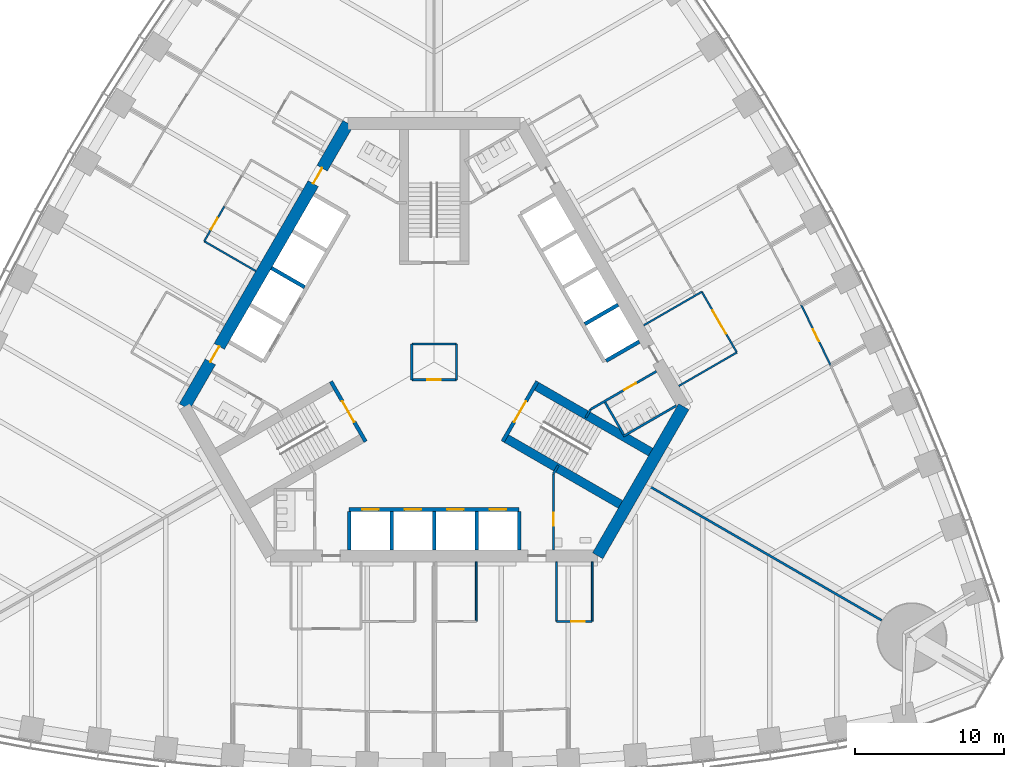
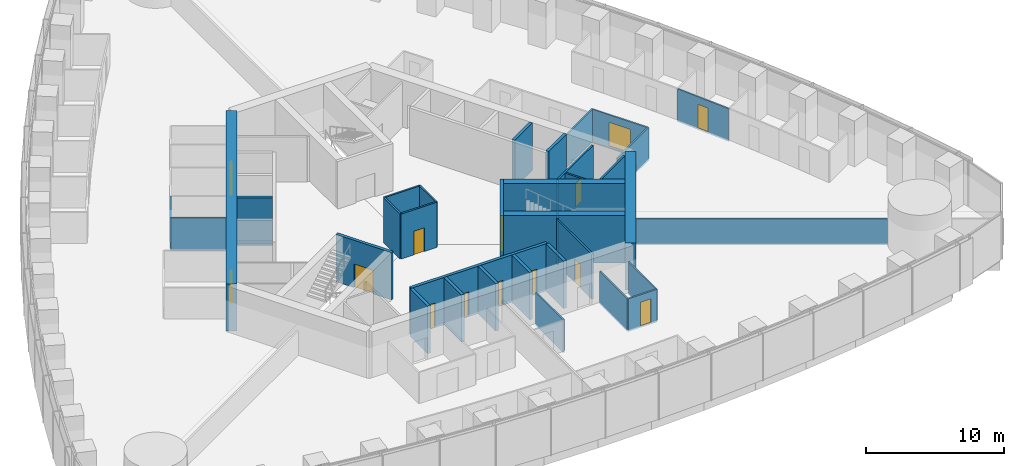
# One storey, part 11 of 18: 36 walls, 15 doors, 15 openings.
"""IFC4 building model written with IfcOpenShell, lengths in metres."""

from ifc_helpers import new_model, si_unit, direction, frame, frame_2d, origin, place, context, subcontext, project, spatial, rectangle, extrude, material, layer, layer_set, type_object, element, fill, save


model = new_model("IFC4")

# Units and contexts
model_context = context("Model", 3, precision=1e-05, world=origin(), true_north=direction((0.0, 1.0)))
body_context = subcontext(model_context, "Body", "Model", "MODEL_VIEW")
ifc_project = project(units=[si_unit("LENGTHUNIT", "METRE"), si_unit("AREAUNIT", "SQUARE_METRE"), si_unit("VOLUMEUNIT", "CUBIC_METRE"), si_unit("PLANEANGLEUNIT", "RADIAN"), si_unit("MASSUNIT", "GRAM", prefix="KILO")], contexts=[model_context])

# Site, building, storey
site_placement = place(None, origin())
site = spatial("IfcSite", under=ifc_project, at=site_placement, CompositionType="ELEMENT")
building_placement = place(site_placement, origin())
building = spatial("IfcBuilding", under=site, at=building_placement, Name="Trefoil Bronze Tower", CompositionType="ELEMENT")
storey_placement = place(building_placement, frame((0.0, 0.0, 29.10009765625)))
storey = spatial("IfcBuildingStorey", under=building, at=storey_placement, Name="L06", CompositionType="ELEMENT", Elevation=29.10009765625)

# Wall
ifc_material_1 = material(Name="Concrete B80", Category="concrete")
ifc_layer_1 = layer(ifc_material_1, 0.800048828125)
ifc_layer_set_1 = layer_set([ifc_layer_1], Name="Core wall 800")
wall_type_1 = type_object("IfcWallType", Name="Core wall 800", PredefinedType="SHEAR", material=ifc_layer_set_1)
wall_1_placement = place(storey_placement, frame((10.9697265625, -13.0, 0.0), z_axis=(0.0, 0.0, 1.0), x_axis=(0.499995765644, 0.866027848477, 0.0)))
element("IfcWall", 1, at=wall_1_placement, inside=storey, type_object=wall_type_1, Name="Core short wall 1 L06", PredefinedType="SHEAR", context=body_context, shape_type="SweptSolid", body=[
    extrude(rectangle(XDim=11.546875, YDim=0.800048828125, at=frame_2d((5.7734375, 0.0))), origin(), (0.0, 0.0, 1.0), 4.199951171875),
])

# Wall, openings, doors
wall_2_placement = place(storey_placement, frame((-5.7734375, 16.0, 0.0), z_axis=(0.0, 0.0, 1.0), x_axis=(-0.500002442456, -0.866023993627, 0.0)))
wall_2 = element("IfcWall", 2, at=wall_2_placement, inside=storey, type_object=wall_type_1, Name="Core long wall 3 L06", PredefinedType="SHEAR", context=body_context, shape_type="SweptSolid", body=[
    extrude(rectangle(XDim=21.939453125, YDim=0.800048828125, at=frame_2d((10.9697265625, 0.0))), origin(), (0.0, 0.0, 1.0), 4.199951171875),
])
opening_1_placement = place(wall_2_placement, frame((17.269775390625, 0.0, 0.0)))
opening_1 = element("IfcOpeningElement", 3, at=opening_1_placement, cuts=wall_2, Name="Opening D2", PredefinedType="OPENING", context=body_context, shape_type="SweptSolid", body=[
    extrude(rectangle(XDim=1.199951171875, YDim=2.10009765625, at=frame_2d((0.60009765625, 1.050048828125))), frame((0.0, 0.409912109375, 0.0), z_axis=(0.0, -1.0, 0.0), x_axis=(1.0, 0.0, 0.0)), (0.0, 0.0, 1.0), 0.820068359375),
])
opening_2_placement = place(wall_2_placement, frame((3.4697265625, 0.0, 0.0)))
opening_2 = element("IfcOpeningElement", 4, at=opening_2_placement, cuts=wall_2, Name="Opening D2", PredefinedType="OPENING", context=body_context, shape_type="SweptSolid", body=[
    extrude(rectangle(XDim=1.199951171875, YDim=2.10009765625, at=frame_2d((0.60009765625, 1.050048828125))), frame((0.0, 0.409912109375, 0.0), z_axis=(0.0, -1.0, 0.0), x_axis=(1.0, 0.0, 0.0)), (0.0, 0.0, 1.0), 0.820068359375),
])
ifc_material_2 = material(Name="Steel door", Category="steel")
door_type_1 = type_object("IfcDoorType", Name="Lobby door 1200", OperationType="SINGLE_SWING_RIGHT", PredefinedType="DOOR", material=ifc_material_2)
door_1_placement = place(opening_1_placement, origin())
door_1 = element("IfcDoor", 5, at=door_1_placement, inside=storey, type_object=door_type_1, Name="Lobby door F3+ L06", OperationType="SINGLE_SWING_RIGHT", OverallHeight=2.10009765625, OverallWidth=1.199951171875, PredefinedType="DOOR", context=body_context, shape_type="SweptSolid", body=[
    extrude(rectangle(XDim=1.199951171875, YDim=2.10009765625, at=frame_2d((0.60009765625, 1.050048828125))), frame((0.0, 0.02490234375, 0.0), z_axis=(0.0, -1.0, 0.0), x_axis=(1.0, 0.0, 0.0)), (0.0, 0.0, 1.0), 0.050048828125),
])
fill(opening_1, door_1)
door_2_placement = place(opening_2_placement, origin())
door_2 = element("IfcDoor", 6, at=door_2_placement, inside=storey, type_object=door_type_1, Name="Lobby door F3- L06", OperationType="SINGLE_SWING_LEFT", OverallHeight=2.10009765625, OverallWidth=1.199951171875, PredefinedType="DOOR", context=body_context, shape_type="SweptSolid", body=[
    extrude(rectangle(XDim=1.199951171875, YDim=2.10009765625, at=frame_2d((0.60009765625, 1.050048828125))), frame((0.0, 0.02490234375, 0.0), z_axis=(0.0, -1.0, 0.0), x_axis=(1.0, 0.0, 0.0)), (0.0, 0.0, 1.0), 0.050048828125),
])
fill(opening_2, door_2)

# Wall, opening, door
ifc_material_3 = material(Name="Glazed partition", Category="glass")
ifc_layer_2 = layer(ifc_material_3, 0.1201171875)
ifc_layer_set_2 = layer_set([ifc_layer_2], Name="Glazed partition 120")
wall_type_2 = type_object("IfcWallType", Name="Glazed partition 120", PredefinedType="PARTITIONING", material=ifc_layer_set_2)
wall_3_placement = place(storey_placement, frame((8.199951171875, -17.39990234375, 0.0), z_axis=(0.0, 0.0, 1.0), x_axis=(1.0, 0.0, 0.0)))
wall_3 = element("IfcWall", 7, at=wall_3_placement, inside=storey, type_object=wall_type_2, Name="Partition F1 L06", PredefinedType="PARTITIONING", context=body_context, shape_type="SweptSolid", body=[
    extrude(rectangle(XDim=2.400146484375, YDim=0.1201171875, at=frame_2d((1.2001953125, 0.0))), origin(), (0.0, 0.0, 1.0), 2.89990234375),
])
opening_3_placement = place(wall_3_placement, frame((1.0, 0.0, 0.14990234375)))
opening_3 = element("IfcOpeningElement", 8, at=opening_3_placement, cuts=wall_3, Name="Opening D8", PredefinedType="OPENING", context=body_context, shape_type="SweptSolid", body=[
    extrude(rectangle(XDim=0.89990234375, YDim=2.10009765625, at=frame_2d((0.449951171875, 1.050048828125))), frame((0.0, 0.070068359375, 0.0), z_axis=(0.0, -1.0, 0.0), x_axis=(1.0, 0.0, 0.0)), (0.0, 0.0, 1.0), 0.14013671875),
])
ifc_material_4 = material(Name="Timber door", Category="wood")
door_type_2 = type_object("IfcDoorType", Name="Office door 900", OperationType="SINGLE_SWING_LEFT", PredefinedType="DOOR", material=ifc_material_4)
door_3_placement = place(opening_3_placement, origin())
door_3 = element("IfcDoor", 9, at=door_3_placement, inside=storey, type_object=door_type_2, Name="Comms room door F1 L06", OperationType="SINGLE_SWING_RIGHT", OverallHeight=2.10009765625, OverallWidth=0.89990234375, PredefinedType="DOOR", context=body_context, shape_type="SweptSolid", body=[
    extrude(rectangle(XDim=0.89990234375, YDim=2.10009765625, at=frame_2d((0.449951171875, 1.050048828125))), frame((0.0, 0.02490234375, 0.0), z_axis=(0.0, -1.0, 0.0), x_axis=(1.0, 0.0, 0.0)), (0.0, 0.0, 1.0), 0.050048828125),
])
fill(opening_3, door_3)

# Walls
for number, where, z_axis, x_axis, name in (
    (10, (10.60009765625, -13.39990234375, 0.0), (0.0, 0.0, 1.0), (0.0, -1.0, 0.0), "Partition F1 L06"),
    (11, (2.824951171875, -13.39990234375, 0.0), (0.0, 0.0, 1.0), (0.0, -1.0, 0.0), "Partition F1 L06"),
    (12, (8.199951171875, -13.39990234375, 0.0), (0.0, 0.0, 1.0), (0.0, -1.0, 0.0), "Partition F1 L06"),
):
    element("IfcWall", number, at=place(storey_placement, frame(where, z_axis=z_axis, x_axis=x_axis)), inside=storey, type_object=wall_type_2, Name=name, PredefinedType="PARTITIONING", context=body_context, shape_type="SweptSolid", body=[
        extrude(rectangle(XDim=4.0, YDim=0.1201171875, at=frame_2d((2.0, 0.0))), origin(), (0.0, 0.0, 1.0), 2.89990234375),
    ])

# Wall, opening, door
wall_4_placement = place(storey_placement, frame((20.3017578125, 0.63623046875, 0.0), z_axis=(0.0, 0.0, 1.0), x_axis=(-0.499977259774, 0.866038532462, 0.0)))
wall_4 = element("IfcWall", 13, at=wall_4_placement, inside=storey, type_object=wall_type_2, Name="Partition F2 L06", PredefinedType="PARTITIONING", context=body_context, shape_type="SweptSolid", body=[
    extrude(rectangle(XDim=4.699951171875, YDim=0.1201171875, at=frame_2d((2.35009765625, 0.0))), origin(), (0.0, 0.0, 1.0), 2.89990234375),
])
opening_4_placement = place(wall_4_placement, frame((1.449951171875, 0.0, 0.14990234375)))
opening_4 = element("IfcOpeningElement", 14, at=opening_4_placement, cuts=wall_4, Name="Opening D10", PredefinedType="OPENING", context=body_context, shape_type="SweptSolid", body=[
    extrude(rectangle(XDim=1.800048828125, YDim=2.10009765625, at=frame_2d((0.89990234375, 1.050048828125))), frame((0.0, 0.070068359375, 0.0), z_axis=(0.0, -1.0, 0.0), x_axis=(1.0, 0.0, 0.0)), (0.0, 0.0, 1.0), 0.14013671875),
])
ifc_material_5 = material(Name="Timber door", Category="wood")
door_type_3 = type_object("IfcDoorType", Name="Double door 1800", OperationType="DOUBLE_DOOR_SINGLE_SWING", PredefinedType="DOOR", material=ifc_material_5)
door_4_placement = place(opening_4_placement, origin())
door_4 = element("IfcDoor", 15, at=door_4_placement, inside=storey, type_object=door_type_3, Name="Reception door F2 L06", OperationType="DOUBLE_DOOR_SINGLE_SWING", OverallHeight=2.10009765625, OverallWidth=1.800048828125, PredefinedType="DOOR", context=body_context, shape_type="SweptSolid", body=[
    extrude(rectangle(XDim=1.800048828125, YDim=2.10009765625, at=frame_2d((0.89990234375, 1.050048828125))), frame((0.0, 0.02490234375, 0.0), z_axis=(0.0, -1.0, 0.0), x_axis=(1.0, 0.0, 0.0)), (0.0, 0.0, 1.0), 0.050048828125),
])
fill(opening_4, door_4)

# Walls
wall_5_placement = place(storey_placement, frame((14.0546875, 2.45654296875, 0.0), z_axis=(0.0, 0.0, 1.0), x_axis=(0.866031096941, 0.499990139034, 0.0)))
element("IfcWall", 16, at=wall_5_placement, inside=storey, type_object=wall_type_2, Name="Partition F2 L06", PredefinedType="PARTITIONING", context=body_context, shape_type="SweptSolid", body=[
    extrude(rectangle(XDim=4.5, YDim=0.1201171875, at=frame_2d((2.25, 0.0))), origin(), (0.0, 0.0, 1.0), 2.89990234375),
])
wall_6_placement = place(storey_placement, frame((16.40478515625, -1.61376953125, 0.0), z_axis=(0.0, 0.0, 1.0), x_axis=(0.866017533419, 0.500013631625, 0.0)))
element("IfcWall", 17, at=wall_6_placement, inside=storey, type_object=wall_type_2, Name="Partition F2 L06", PredefinedType="PARTITIONING", context=body_context, shape_type="SweptSolid", body=[
    extrude(rectangle(XDim=4.499755859375, YDim=0.1201171875, at=frame_2d((2.25, 0.0))), origin(), (0.0, 0.0, 1.0), 2.89990234375),
])

# Wall, opening, door
wall_7_placement = place(storey_placement, frame((26.590576171875, -0.236328125, 0.0), z_axis=(0.0, 0.0, 1.0), x_axis=(-0.435857917556, 0.900015486369, 0.0)))
wall_7 = element("IfcWall", 18, at=wall_7_placement, inside=storey, type_object=wall_type_2, Name="Partition F2 L06", PredefinedType="PARTITIONING", context=body_context, shape_type="SweptSolid", body=[
    extrude(rectangle(XDim=4.511962890625, YDim=0.1201171875, at=frame_2d((2.255859375, 0.0))), origin(), (0.0, 0.0, 1.0), 2.89990234375),
])
opening_5_placement = place(wall_7_placement, frame((1.800048828125, 0.0, 0.14990234375)))
opening_5 = element("IfcOpeningElement", 19, at=opening_5_placement, cuts=wall_7, Name="Opening D8", PredefinedType="OPENING", context=body_context, shape_type="SweptSolid", body=[
    extrude(rectangle(XDim=0.89990234375, YDim=2.10009765625, at=frame_2d((0.449951171875, 1.050048828125))), frame((0.0, 0.070068359375, 0.0), z_axis=(0.0, -1.0, 0.0), x_axis=(1.0, 0.0, 0.0)), (0.0, 0.0, 1.0), 0.14013671875),
])
door_5_placement = place(opening_5_placement, frame((0.89990234375, 0.0, 0.0), z_axis=(0.0, 0.0, 1.0), x_axis=(-1.0, 0.0, 0.0)))
door_5 = element("IfcDoor", 20, at=door_5_placement, inside=storey, type_object=door_type_2, Name="Office door F2 L06", OperationType="SINGLE_SWING_RIGHT", OverallHeight=2.10009765625, OverallWidth=0.89990234375, PredefinedType="DOOR", context=body_context, shape_type="SweptSolid", body=[
    extrude(rectangle(XDim=0.89990234375, YDim=2.10009765625, at=frame_2d((0.449951171875, 1.050048828125))), frame((0.0, 0.02490234375, 0.0), z_axis=(0.0, -1.0, 0.0), x_axis=(1.0, 0.0, 0.0)), (0.0, 0.0, 1.0), 0.050048828125),
])
fill(opening_5, door_5)

wall_8_placement = place(storey_placement, frame((-14.06884765625, 10.43212890625, 0.0), z_axis=(0.0, 0.0, 1.0), x_axis=(-0.50000943426, -0.866019956843, 0.0)))
wall_8 = element("IfcWall", 21, at=wall_8_placement, inside=storey, type_object=wall_type_2, Name="Partition F3 L06", PredefinedType="PARTITIONING", context=body_context, shape_type="SweptSolid", body=[
    extrude(rectangle(XDim=2.7001953125, YDim=0.1201171875, at=frame_2d((1.35009765625, 0.0))), origin(), (0.0, 0.0, 1.0), 2.89990234375),
])
opening_6_placement = place(wall_8_placement, frame((0.89990234375, 0.0, 0.14990234375)))
opening_6 = element("IfcOpeningElement", 22, at=opening_6_placement, cuts=wall_8, Name="Opening D8", PredefinedType="OPENING", context=body_context, shape_type="SweptSolid", body=[
    extrude(rectangle(XDim=0.89990234375, YDim=2.10009765625, at=frame_2d((0.449951171875, 1.050048828125))), frame((0.0, 0.070068359375, 0.0), z_axis=(0.0, -1.0, 0.0), x_axis=(1.0, 0.0, 0.0)), (0.0, 0.0, 1.0), 0.14013671875),
])
door_6_placement = place(opening_6_placement, origin())
door_6 = element("IfcDoor", 23, at=door_6_placement, inside=storey, type_object=door_type_2, Name="Pantry door F3 L06", OperationType="SINGLE_SWING_LEFT", OverallHeight=2.10009765625, OverallWidth=0.89990234375, PredefinedType="DOOR", context=body_context, shape_type="SweptSolid", body=[
    extrude(rectangle(XDim=0.89990234375, YDim=2.10009765625, at=frame_2d((0.449951171875, 1.050048828125))), frame((0.0, 0.02490234375, 0.0), z_axis=(0.0, -1.0, 0.0), x_axis=(1.0, 0.0, 0.0)), (0.0, 0.0, 1.0), 0.050048828125),
])
fill(opening_6, door_6)

# Wall
wall_9_placement = place(storey_placement, frame((-11.954833984375, 6.09375, 0.0), z_axis=(0.0, 0.0, 1.0), x_axis=(-0.866026010844, 0.49999894854, 0.0)))
element("IfcWall", 24, at=wall_9_placement, inside=storey, type_object=wall_type_2, Name="Partition F3 L06", PredefinedType="PARTITIONING", context=body_context, shape_type="SweptSolid", body=[
    extrude(rectangle(XDim=4.0, YDim=0.1201171875, at=frame_2d((2.0, 0.0))), origin(), (0.0, 0.0, 1.0), 2.89990234375),
])

# Wall, opening, door
ifc_material_6 = material(Name="Gypsum board on steel studs", Category="steel")
ifc_layer_3 = layer(ifc_material_6, 0.14990234375)
ifc_layer_set_3 = layer_set([ifc_layer_3], Name="Partition 150")
wall_type_3 = type_object("IfcWallType", Name="Partition 150", PredefinedType="PARTITIONING", material=ifc_layer_set_3)
wall_10_placement = place(storey_placement, frame((8.0, -7.5, 0.0), z_axis=(0.0, 0.0, 1.0), x_axis=(0.0, -1.0, 0.0)))
wall_10 = element("IfcWall", 25, at=wall_10_placement, inside=storey, type_object=wall_type_3, Name="Passage wall F1+ L06", PredefinedType="PARTITIONING", context=body_context, shape_type="SweptSolid", body=[
    extrude(rectangle(XDim=5.10009765625, YDim=0.14990234375, at=frame_2d((2.550048828125, 0.0))), origin(), (0.0, 0.0, 1.0), 4.0),
])
opening_7_placement = place(wall_10_placement, frame((2.60009765625, 0.0, 0.0)))
opening_7 = element("IfcOpeningElement", 26, at=opening_7_placement, cuts=wall_10, Name="Opening D3", PredefinedType="OPENING", context=body_context, shape_type="SweptSolid", body=[
    extrude(rectangle(XDim=0.89990234375, YDim=2.10009765625, at=frame_2d((0.449951171875, 1.050048828125))), frame((0.0, 0.0849609375, 0.0), z_axis=(0.0, -1.0, 0.0), x_axis=(1.0, 0.0, 0.0)), (0.0, 0.0, 1.0), 0.169921875),
])
ifc_material_7 = material(Name="Timber door", Category="wood")
door_type_4 = type_object("IfcDoorType", Name="WC door 900", OperationType="SINGLE_SWING_LEFT", PredefinedType="DOOR", material=ifc_material_7)
door_7_placement = place(opening_7_placement, origin())
door_7 = element("IfcDoor", 27, at=door_7_placement, inside=storey, type_object=door_type_4, Name="Accessible WC door L06", OperationType="SINGLE_SWING_RIGHT", OverallHeight=2.10009765625, OverallWidth=0.89990234375, PredefinedType="DOOR", context=body_context, shape_type="SweptSolid", body=[
    extrude(rectangle(XDim=0.89990234375, YDim=2.10009765625, at=frame_2d((0.449951171875, 1.050048828125))), frame((0.0, 0.02490234375, 0.0), z_axis=(0.0, -1.0, 0.0), x_axis=(1.0, 0.0, 0.0)), (0.0, 0.0, 1.0), 0.050048828125),
])
fill(opening_7, door_7)

wall_11_placement = place(storey_placement, frame((10.4951171875, -3.17822265625, 0.0), z_axis=(0.0, 0.0, 1.0), x_axis=(0.86602216432, 0.500005610874, 0.0)))
wall_11 = element("IfcWall", 28, at=wall_11_placement, inside=storey, type_object=wall_type_3, Name="Passage wall F2- L06", PredefinedType="PARTITIONING", context=body_context, shape_type="SweptSolid", body=[
    extrude(rectangle(XDim=5.10009765625, YDim=0.14990234375, at=frame_2d((2.550048828125, 0.0))), origin(), (0.0, 0.0, 1.0), 4.0),
])
opening_8_placement = place(wall_11_placement, frame((2.60009765625, 0.0, 0.0)))
opening_8 = element("IfcOpeningElement", 29, at=opening_8_placement, cuts=wall_11, Name="Opening D3", PredefinedType="OPENING", context=body_context, shape_type="SweptSolid", body=[
    extrude(rectangle(XDim=0.89990234375, YDim=2.10009765625, at=frame_2d((0.449951171875, 1.050048828125))), frame((0.0, 0.0849609375, 0.0), z_axis=(0.0, -1.0, 0.0), x_axis=(1.0, 0.0, 0.0)), (0.0, 0.0, 1.0), 0.169921875),
])
door_8_placement = place(opening_8_placement, frame((0.89990234375, 0.0, 0.0), z_axis=(0.0, 0.0, 1.0), x_axis=(-1.0, 0.0, 0.0)))
door_8 = element("IfcDoor", 30, at=door_8_placement, inside=storey, type_object=door_type_4, Name="WC (women) door L06", OperationType="SINGLE_SWING_RIGHT", OverallHeight=2.10009765625, OverallWidth=0.89990234375, PredefinedType="DOOR", context=body_context, shape_type="SweptSolid", body=[
    extrude(rectangle(XDim=0.89990234375, YDim=2.10009765625, at=frame_2d((0.449951171875, 1.050048828125))), frame((0.0, 0.02490234375, 0.0), z_axis=(0.0, -1.0, 0.0), x_axis=(1.0, 0.0, 0.0)), (0.0, 0.0, 1.0), 0.050048828125),
])
fill(opening_8, door_8)

# Walls
for number, where, z_axis, x_axis, name in (
    (31, (8.0, -7.5, 0.0), (0.0, 0.0, 1.0), (0.499842556608, 0.866116284689, 0.0), "WC wall ST1-1 L06"),
    (32, (10.4951171875, -3.17822265625, 0.0), (0.0, 0.0, 1.0), (-0.499842556608, -0.866116284689, 0.0), "WC wall ST1+1 L06"),
):
    element("IfcWall", number, at=place(storey_placement, frame(where, z_axis=z_axis, x_axis=x_axis)), inside=storey, type_object=wall_type_3, Name=name, PredefinedType="PARTITIONING", context=body_context, shape_type="SweptSolid", body=[
        extrude(rectangle(XDim=0.645263671875, YDim=0.14990234375, at=frame_2d((0.32275390625, 0.0))), origin(), (0.0, 0.0, 1.0), 4.0),
    ])
wall_12_placement = place(storey_placement, frame((12.691162109375, -4.98193359375, 0.0), z_axis=(0.0, 0.0, 1.0), x_axis=(0.8660249478, 0.500000789788, 0.0)))
element("IfcWall", 33, at=wall_12_placement, inside=storey, type_object=wall_type_3, Name="WC partition WC (women) L06", PredefinedType="PARTITIONING", context=body_context, shape_type="SweptSolid", body=[
    extrude(rectangle(XDim=4.10009765625, YDim=0.14990234375, at=frame_2d((2.050048828125, 0.0))), origin(), (0.0, 0.0, 1.0), 4.0),
])
wall_13_placement = place(storey_placement, frame((11.463623046875, -2.70556640625, 0.0), z_axis=(0.0, 0.0, 1.0), x_axis=(0.50001992892, -0.866013897511, 0.0)))
element("IfcWall", 34, at=wall_13_placement, inside=storey, type_object=wall_type_3, Name="WC partition WC (women) L06", PredefinedType="PARTITIONING", context=body_context, shape_type="SweptSolid", body=[
    extrude(rectangle(XDim=2.51025390625, YDim=0.14990234375, at=frame_2d((1.255126953125, 0.0))), origin(), (0.0, 0.0, 1.0), 4.0),
])
ifc_material_8 = material(Name="Gypsum board on steel studs", Category="steel")
ifc_layer_4 = layer(ifc_material_8, 0.14990234375)
ifc_layer_set_4 = layer_set([ifc_layer_4], Name="Party wall 150")
wall_type_4 = type_object("IfcWallType", Name="Party wall 150", PredefinedType="PARTITIONING", material=ifc_layer_set_4)
wall_14_placement = place(storey_placement, frame((14.202880859375, -8.199951171875, 0.0), z_axis=(0.0, 0.0, 1.0), x_axis=(0.866024965723, -0.500000758745, 0.0)))
element("IfcWall", 35, at=wall_14_placement, inside=storey, type_object=wall_type_4, Name="Party wall K1 L06", PredefinedType="PARTITIONING", context=body_context, shape_type="SweptSolid", body=[
    extrude(rectangle(XDim=18.25, YDim=0.14990234375, at=frame_2d((9.125, 0.0))), origin(), (0.0, 0.0, 1.0), 2.2998046875),
])

# Wall, opening, door
ifc_material_9 = material(Name="Gypsum board on steel studs", Category="steel")
ifc_layer_5 = layer(ifc_material_9, 0.14990234375)
ifc_layer_set_5 = layer_set([ifc_layer_5], Name="Riser wall 150")
wall_type_5 = type_object("IfcWallType", Name="Riser wall 150", PredefinedType="PARTITIONING", material=ifc_layer_set_5)
wall_15_placement = place(storey_placement, frame((-1.5, -1.199951171875, 0.0), z_axis=(0.0, 0.0, 1.0), x_axis=(1.0, 0.0, 0.0)))
wall_15 = element("IfcWall", 36, at=wall_15_placement, inside=storey, type_object=wall_type_5, Name="Riser wall L06", PredefinedType="PARTITIONING", context=body_context, shape_type="SweptSolid", body=[
    extrude(rectangle(XDim=3.0, YDim=0.14990234375, at=frame_2d((1.5, 0.0))), origin(), (0.0, 0.0, 1.0), 4.0),
])
opening_9_placement = place(wall_15_placement, frame((1.050048828125, 0.0, 0.0)))
opening_9 = element("IfcOpeningElement", 37, at=opening_9_placement, cuts=wall_15, Name="Opening D4", PredefinedType="OPENING", context=body_context, shape_type="SweptSolid", body=[
    extrude(rectangle(XDim=0.89990234375, YDim=2.10009765625, at=frame_2d((0.449951171875, 1.050048828125))), frame((0.0, 0.0849609375, 0.0), z_axis=(0.0, -1.0, 0.0), x_axis=(1.0, 0.0, 0.0)), (0.0, 0.0, 1.0), 0.169921875),
])
ifc_material_10 = material(Name="Steel door", Category="steel")
door_type_5 = type_object("IfcDoorType", Name="Riser door 900", OperationType="SINGLE_SWING_LEFT", PredefinedType="DOOR", material=ifc_material_10)
door_9_placement = place(opening_9_placement, frame((0.89990234375, 0.0, 0.0), z_axis=(0.0, 0.0, 1.0), x_axis=(-1.0, 0.0, 0.0)))
door_9 = element("IfcDoor", 38, at=door_9_placement, inside=storey, type_object=door_type_5, Name="Riser door L06", OperationType="SINGLE_SWING_LEFT", OverallHeight=2.10009765625, OverallWidth=0.89990234375, PredefinedType="DOOR", context=body_context, shape_type="SweptSolid", body=[
    extrude(rectangle(XDim=0.89990234375, YDim=2.10009765625, at=frame_2d((0.449951171875, 1.050048828125))), frame((0.0, 0.02490234375, 0.0), z_axis=(0.0, -1.0, 0.0), x_axis=(1.0, 0.0, 0.0)), (0.0, 0.0, 1.0), 0.050048828125),
])
fill(opening_9, door_9)

# Walls
wall_16_placement = place(storey_placement, frame((1.5, -1.199951171875, 0.0), z_axis=(0.0, 0.0, 1.0), x_axis=(0.0, 1.0, 0.0)))
element("IfcWall", 39, at=wall_16_placement, inside=storey, type_object=wall_type_5, Name="Riser wall L06", PredefinedType="PARTITIONING", context=body_context, shape_type="SweptSolid", body=[
    extrude(rectangle(XDim=2.39990234375, YDim=0.14990234375, at=frame_2d((1.199951171875, 0.0))), origin(), (0.0, 0.0, 1.0), 4.0),
])
wall_17_placement = place(storey_placement, frame((1.5, 1.199951171875, 0.0), z_axis=(0.0, 0.0, 1.0), x_axis=(-1.0, 0.0, 0.0)))
element("IfcWall", 40, at=wall_17_placement, inside=storey, type_object=wall_type_5, Name="Riser wall L06", PredefinedType="PARTITIONING", context=body_context, shape_type="SweptSolid", body=[
    extrude(rectangle(XDim=3.0, YDim=0.14990234375, at=frame_2d((1.5, 0.0))), origin(), (0.0, 0.0, 1.0), 4.0),
])
wall_18_placement = place(storey_placement, frame((-1.5, 1.199951171875, 0.0), z_axis=(0.0, 0.0, 1.0), x_axis=(0.0, -1.0, 0.0)))
element("IfcWall", 41, at=wall_18_placement, inside=storey, type_object=wall_type_5, Name="Riser wall L06", PredefinedType="PARTITIONING", context=body_context, shape_type="SweptSolid", body=[
    extrude(rectangle(XDim=2.39990234375, YDim=0.14990234375, at=frame_2d((1.199951171875, 0.0))), origin(), (0.0, 0.0, 1.0), 4.0),
])

# Wall, openings, doors
ifc_material_11 = material(Name="Concrete B80", Category="concrete")
ifc_layer_6 = layer(ifc_material_11, 0.25)
ifc_layer_set_6 = layer_set([ifc_layer_6], Name="Shaft wall 250")
wall_type_6 = type_object("IfcWallType", Name="Shaft wall 250", PredefinedType="SHEAR", material=ifc_layer_set_6)
wall_19_placement = place(storey_placement, frame((-5.699951171875, -9.89990234375, 0.0), z_axis=(0.0, 0.0, 1.0), x_axis=(1.0, 0.0, 0.0)))
wall_19 = element("IfcWall", 42, at=wall_19_placement, inside=storey, type_object=wall_type_6, Name="Lift shaft front wall A L06", PredefinedType="SHEAR", context=body_context, shape_type="SweptSolid", body=[
    extrude(rectangle(XDim=11.39990234375, YDim=0.25, at=frame_2d((5.699951171875, 0.0))), origin(), (0.0, 0.0, 1.0), 4.199951171875),
])
opening_10_placement = place(wall_19_placement, frame((0.875, 0.0, 0.0)))
opening_10 = element("IfcOpeningElement", 43, at=opening_10_placement, cuts=wall_19, Name="Opening LD-P11", PredefinedType="OPENING", context=body_context, shape_type="SweptSolid", body=[
    extrude(rectangle(XDim=1.10009765625, YDim=2.199951171875, at=frame_2d((0.550048828125, 1.10009765625))), frame((0.0, 0.135009765625, 0.0), z_axis=(0.0, -1.0, 0.0), x_axis=(1.0, 0.0, 0.0)), (0.0, 0.0, 1.0), 0.27001953125),
])
opening_11_placement = place(wall_19_placement, frame((3.72509765625, 0.0, 0.0)))
opening_11 = element("IfcOpeningElement", 44, at=opening_11_placement, cuts=wall_19, Name="Opening LD-P12", PredefinedType="OPENING", context=body_context, shape_type="SweptSolid", body=[
    extrude(rectangle(XDim=1.10009765625, YDim=2.199951171875, at=frame_2d((0.550048828125, 1.10009765625))), frame((0.0, 0.135009765625, 0.0), z_axis=(0.0, -1.0, 0.0), x_axis=(1.0, 0.0, 0.0)), (0.0, 0.0, 1.0), 0.27001953125),
])
opening_12_placement = place(wall_19_placement, frame((6.574951171875, 0.0, 0.0)))
opening_12 = element("IfcOpeningElement", 45, at=opening_12_placement, cuts=wall_19, Name="Opening LD-P13", PredefinedType="OPENING", context=body_context, shape_type="SweptSolid", body=[
    extrude(rectangle(XDim=1.10009765625, YDim=2.199951171875, at=frame_2d((0.550048828125, 1.10009765625))), frame((0.0, 0.135009765625, 0.0), z_axis=(0.0, -1.0, 0.0), x_axis=(1.0, 0.0, 0.0)), (0.0, 0.0, 1.0), 0.27001953125),
])
opening_13_placement = place(wall_19_placement, frame((9.425048828125, 0.0, 0.0)))
opening_13 = element("IfcOpeningElement", 46, at=opening_13_placement, cuts=wall_19, Name="Opening LD-P14", PredefinedType="OPENING", context=body_context, shape_type="SweptSolid", body=[
    extrude(rectangle(XDim=1.10009765625, YDim=2.199951171875, at=frame_2d((0.550048828125, 1.10009765625))), frame((0.0, 0.135009765625, 0.0), z_axis=(0.0, -1.0, 0.0), x_axis=(1.0, 0.0, 0.0)), (0.0, 0.0, 1.0), 0.27001953125),
])
ifc_material_12 = material(Name="Steel door", Category="steel")
door_type_6 = type_object("IfcDoorType", Name="Lift landing door 1100", OperationType="DOUBLE_DOOR_SLIDING", PredefinedType="DOOR", material=ifc_material_12)
door_10_placement = place(opening_10_placement, origin())
door_10 = element("IfcDoor", 47, at=door_10_placement, inside=storey, type_object=door_type_6, Name="Lift P11 landing door L06", OperationType="DOUBLE_DOOR_SLIDING", OverallHeight=2.199951171875, OverallWidth=1.10009765625, PredefinedType="DOOR", context=body_context, shape_type="SweptSolid", body=[
    extrude(rectangle(XDim=1.10009765625, YDim=2.199951171875, at=frame_2d((0.550048828125, 1.10009765625))), frame((0.0, 0.02490234375, 0.0), z_axis=(0.0, -1.0, 0.0), x_axis=(1.0, 0.0, 0.0)), (0.0, 0.0, 1.0), 0.050048828125),
])
fill(opening_10, door_10)
door_11_placement = place(opening_11_placement, origin())
door_11 = element("IfcDoor", 48, at=door_11_placement, inside=storey, type_object=door_type_6, Name="Lift P12 landing door L06", OperationType="DOUBLE_DOOR_SLIDING", OverallHeight=2.199951171875, OverallWidth=1.10009765625, PredefinedType="DOOR", context=body_context, shape_type="SweptSolid", body=[
    extrude(rectangle(XDim=1.10009765625, YDim=2.199951171875, at=frame_2d((0.550048828125, 1.10009765625))), frame((0.0, 0.02490234375, 0.0), z_axis=(0.0, -1.0, 0.0), x_axis=(1.0, 0.0, 0.0)), (0.0, 0.0, 1.0), 0.050048828125),
])
fill(opening_11, door_11)
door_12_placement = place(opening_12_placement, origin())
door_12 = element("IfcDoor", 49, at=door_12_placement, inside=storey, type_object=door_type_6, Name="Lift P13 landing door L06", OperationType="DOUBLE_DOOR_SLIDING", OverallHeight=2.199951171875, OverallWidth=1.10009765625, PredefinedType="DOOR", context=body_context, shape_type="SweptSolid", body=[
    extrude(rectangle(XDim=1.10009765625, YDim=2.199951171875, at=frame_2d((0.550048828125, 1.10009765625))), frame((0.0, 0.02490234375, 0.0), z_axis=(0.0, -1.0, 0.0), x_axis=(1.0, 0.0, 0.0)), (0.0, 0.0, 1.0), 0.050048828125),
])
fill(opening_12, door_12)
door_13_placement = place(opening_13_placement, origin())
door_13 = element("IfcDoor", 50, at=door_13_placement, inside=storey, type_object=door_type_6, Name="Lift P14 landing door L06", OperationType="DOUBLE_DOOR_SLIDING", OverallHeight=2.199951171875, OverallWidth=1.10009765625, PredefinedType="DOOR", context=body_context, shape_type="SweptSolid", body=[
    extrude(rectangle(XDim=1.10009765625, YDim=2.199951171875, at=frame_2d((0.550048828125, 1.10009765625))), frame((0.0, 0.02490234375, 0.0), z_axis=(0.0, -1.0, 0.0), x_axis=(1.0, 0.0, 0.0)), (0.0, 0.0, 1.0), 0.050048828125),
])
fill(opening_13, door_13)

# Walls
for number, where, z_axis, x_axis, name in (
    (51, (-5.699951171875, -10.02490234375, 0.0), (0.0, 0.0, 1.0), (0.0, -1.0, 0.0), "Lift shaft side wall A0 L06"),
    (52, (-2.85009765625, -10.02490234375, 0.0), (0.0, 0.0, 1.0), (0.0, -1.0, 0.0), "Lift shaft side wall A1 L06"),
    (53, (0.0, -10.02490234375, 0.0), (0.0, 0.0, 1.0), (0.0, -1.0, 0.0), "Lift shaft side wall A2 L06"),
    (54, (2.85009765625, -10.02490234375, 0.0), (0.0, 0.0, 1.0), (0.0, -1.0, 0.0), "Lift shaft side wall A3 L06"),
    (55, (5.699951171875, -10.02490234375, 0.0), (0.0, 0.0, 1.0), (0.0, -1.0, 0.0), "Lift shaft side wall A4 L06"),
):
    element("IfcWall", number, at=place(storey_placement, frame(where, z_axis=z_axis, x_axis=x_axis)), inside=storey, type_object=wall_type_6, Name=name, PredefinedType="SHEAR", context=body_context, shape_type="SweptSolid", body=[
        extrude(rectangle(XDim=2.5751953125, YDim=0.25, at=frame_2d((1.28759765625, 0.0))), origin(), (0.0, 0.0, 1.0), 4.199951171875),
    ])
for number, where, z_axis, x_axis, name in (
    (56, (11.531982421875, 0.076171875, 0.0), (0.0, 0.0, 1.0), (0.866005588531, 0.500034319456, 0.0), "Lift shaft side wall B0 L06"),
    (57, (10.10693359375, 2.54443359375, 0.0), (0.0, 0.0, 1.0), (0.866046643894, 0.499963209246, 0.0), "Lift shaft side wall B1 L06"),
    (58, (-8.681884765625, 5.012451171875, 0.0), (0.0, 0.0, 1.0), (-0.866005588531, 0.500034319456, 0.0), "Lift shaft side wall C2 L06"),
):
    element("IfcWall", number, at=place(storey_placement, frame(where, z_axis=z_axis, x_axis=x_axis)), inside=storey, type_object=wall_type_6, Name=name, PredefinedType="SHEAR", context=body_context, shape_type="SweptSolid", body=[
        extrude(rectangle(XDim=2.574951171875, YDim=0.25, at=frame_2d((1.28759765625, 0.0))), origin(), (0.0, 0.0, 1.0), 4.199951171875),
    ])

# Wall, opening, door
wall_20_placement = place(storey_placement, frame((4.5966796875, -5.338623046875, 0.0), z_axis=(0.0, 0.0, 1.0), x_axis=(0.499984536904, 0.866034331223, 0.0)))
wall_20 = element("IfcWall", 59, at=wall_20_placement, inside=storey, type_object=wall_type_6, Name="Stair end wall ST1 L06", PredefinedType="SHEAR", context=body_context, shape_type="SweptSolid", body=[
    extrude(rectangle(XDim=4.650146484375, YDim=0.25, at=frame_2d((2.3251953125, 0.0))), origin(), (0.0, 0.0, 1.0), 4.199951171875),
])
opening_14_placement = place(wall_20_placement, frame((1.52490234375, 0.0, 0.0)))
opening_14 = element("IfcOpeningElement", 60, at=opening_14_placement, cuts=wall_20, Name="Opening D1", PredefinedType="OPENING", context=body_context, shape_type="SweptSolid", body=[
    extrude(rectangle(XDim=1.60009765625, YDim=2.10009765625, at=frame_2d((0.800048828125, 1.050048828125))), frame((0.0, 0.135009765625, 0.0), z_axis=(0.0, -1.0, 0.0), x_axis=(1.0, 0.0, 0.0)), (0.0, 0.0, 1.0), 0.27001953125),
])
ifc_material_13 = material(Name="Steel door", Category="steel")
door_type_7 = type_object("IfcDoorType", Name="Stair door 1600", OperationType="DOUBLE_DOOR_SINGLE_SWING", PredefinedType="DOOR", material=ifc_material_13)
door_14_placement = place(opening_14_placement, frame((1.60009765625, 0.0, 0.0), z_axis=(0.0, 0.0, 1.0), x_axis=(-1.0, 0.0, 0.0)))
door_14 = element("IfcDoor", 61, at=door_14_placement, inside=storey, type_object=door_type_7, Name="Stair door ST1 L06", OperationType="DOUBLE_DOOR_SINGLE_SWING", OverallHeight=2.10009765625, OverallWidth=1.60009765625, PredefinedType="DOOR", context=body_context, shape_type="SweptSolid", body=[
    extrude(rectangle(XDim=1.60009765625, YDim=2.10009765625, at=frame_2d((0.800048828125, 1.050048828125))), frame((0.0, 0.02490234375, 0.0), z_axis=(0.0, -1.0, 0.0), x_axis=(1.0, 0.0, 0.0)), (0.0, 0.0, 1.0), 0.050048828125),
])
fill(opening_14, door_14)

wall_21_placement = place(storey_placement, frame((-6.921630859375, -1.3115234375, 0.0), z_axis=(0.0, 0.0, 1.0), x_axis=(0.499984536904, -0.866034331223, 0.0)))
wall_21 = element("IfcWall", 62, at=wall_21_placement, inside=storey, type_object=wall_type_6, Name="Stair end wall ST3 L06", PredefinedType="SHEAR", context=body_context, shape_type="SweptSolid", body=[
    extrude(rectangle(XDim=4.650146484375, YDim=0.25, at=frame_2d((2.3251953125, 0.0))), origin(), (0.0, 0.0, 1.0), 4.199951171875),
])
opening_15_placement = place(wall_21_placement, frame((1.52490234375, 0.0, 0.0)))
opening_15 = element("IfcOpeningElement", 63, at=opening_15_placement, cuts=wall_21, Name="Opening D1", PredefinedType="OPENING", context=body_context, shape_type="SweptSolid", body=[
    extrude(rectangle(XDim=1.60009765625, YDim=2.10009765625, at=frame_2d((0.800048828125, 1.050048828125))), frame((0.0, 0.135009765625, 0.0), z_axis=(0.0, -1.0, 0.0), x_axis=(1.0, 0.0, 0.0)), (0.0, 0.0, 1.0), 0.27001953125),
])
door_15_placement = place(opening_15_placement, frame((1.60009765625, 0.0, 0.0), z_axis=(0.0, 0.0, 1.0), x_axis=(-1.0, 0.0, 0.0)))
door_15 = element("IfcDoor", 64, at=door_15_placement, inside=storey, type_object=door_type_7, Name="Stair door ST3 L06", OperationType="DOUBLE_DOOR_SINGLE_SWING", OverallHeight=2.10009765625, OverallWidth=1.60009765625, PredefinedType="DOOR", context=body_context, shape_type="SweptSolid", body=[
    extrude(rectangle(XDim=1.60009765625, YDim=2.10009765625, at=frame_2d((0.800048828125, 1.050048828125))), frame((0.0, 0.02490234375, 0.0), z_axis=(0.0, -1.0, 0.0), x_axis=(1.0, 0.0, 0.0)), (0.0, 0.0, 1.0), 0.050048828125),
])
fill(opening_15, door_15)

# Walls
ifc_material_14 = material(Name="Concrete B80", Category="concrete")
ifc_layer_7 = layer(ifc_material_14, 0.60009765625)
ifc_layer_set_7 = layer_set([ifc_layer_7], Name="Stair wall 600")
wall_type_7 = type_object("IfcWallType", Name="Stair wall 600", PredefinedType="SHEAR", material=ifc_layer_set_7)
for number, where, z_axis, x_axis, name in (
    (65, (4.638427734375, -5.01611328125, 0.0), (0.0, 0.0, 1.0), (0.866019375473, -0.500010441196, 0.0), "Stair wall ST1 L06"),
    (66, (6.663330078125, -1.5087890625, 0.0), (0.0, 0.0, 1.0), (0.866019375473, -0.500010441196, 0.0), "Stair wall ST1 L06"),
):
    element("IfcWall", number, at=place(storey_placement, frame(where, z_axis=z_axis, x_axis=x_axis)), inside=storey, type_object=wall_type_7, Name=name, PredefinedType="SHEAR", context=body_context, shape_type="SweptSolid", body=[
        extrude(rectangle(XDim=9.074951171875, YDim=0.60009765625, at=frame_2d((4.53759765625, 0.0))), origin(), (0.0, 0.0, 1.0), 4.199951171875),
    ])

save(model, "model.ifc")
